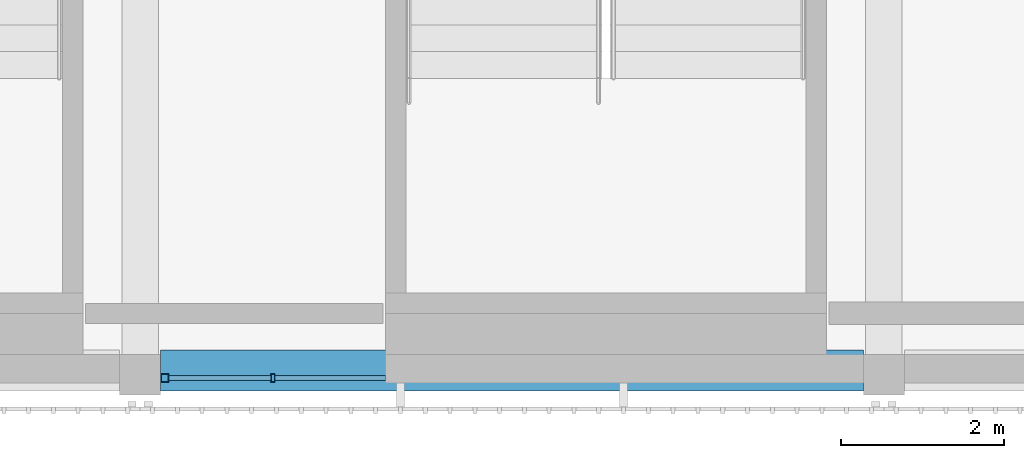
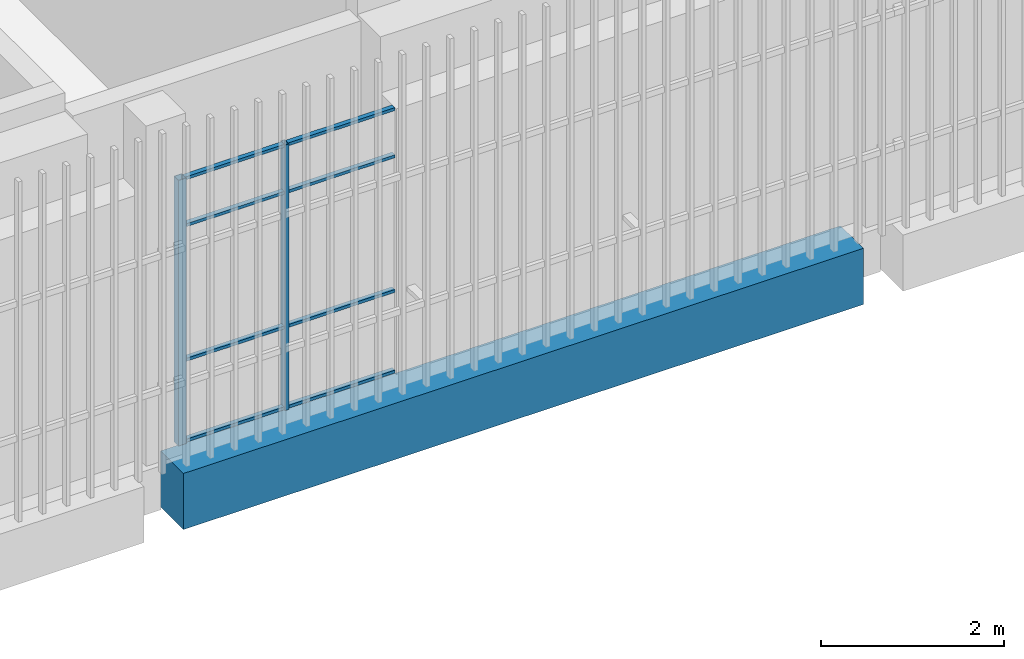
# One storey, part 54 of 139: 10 members, 1 beam, 1 element without a shape of its own.
"""IFC4 building model written with IfcOpenShell, lengths in metres."""

from ifc_helpers import new_model, si_unit, direction, frame, origin, origin_2d, place, context, subcontext, project, spatial, rectangle, hollow_rectangle, extrude, material, layer, layer_set, material_profile, profile_set, type_object, element, aggregate, save


model = new_model("IFC4")

# Units and contexts
model_context = context("Model", 3, precision=1e-05, world=origin(), true_north=direction((0.0, 1.0)))
body_context = subcontext(model_context, "Body", "Model", "MODEL_VIEW")
ifc_project = project(units=[si_unit("LENGTHUNIT", "METRE"), si_unit("AREAUNIT", "SQUARE_METRE"), si_unit("VOLUMEUNIT", "CUBIC_METRE"), si_unit("PLANEANGLEUNIT", "RADIAN"), si_unit("MASSUNIT", "GRAM", prefix="KILO")], contexts=[model_context])

# Site, building, storey
site_placement = place(None, origin())
site = spatial("IfcSite", under=ifc_project, at=site_placement, CompositionType="ELEMENT")
building_placement = place(site_placement, origin())
building = spatial("IfcBuilding", under=site, at=building_placement, Name="Shirokan Park Arena", CompositionType="ELEMENT")
storey_placement = place(building_placement, frame((0.0, 0.0, 15.469970703125)))
storey = spatial("IfcBuildingStorey", under=building, at=storey_placement, Name="L03", CompositionType="ELEMENT", Elevation=15.469970703125)

# Curtain wall, members
ifc_material_1 = material(Name="Steel and glass curtain wall", Category="steel")
ifc_layer = layer(ifc_material_1, 0.1201171875)
ifc_layer_set = layer_set([ifc_layer], Name="Steel and glass curtain wall 120 mm")
curtain_wall_type = type_object("IfcCurtainWallType", Name="Curtain wall corner block side bay 120", PredefinedType="NOTDEFINED", material=ifc_layer_set)
curtain_wall_placement = place(storey_placement, origin())
curtain_wall = element("IfcCurtainWall", 1, at=curtain_wall_placement, inside=storey, type_object=curtain_wall_type, Name="Curtain wall south bay 15 L03", PredefinedType="NOTDEFINED")
ifc_material_2 = material(Name="Steel S355", Category="steel")
ifc_material_profile_1 = material_profile(ifc_material_2, hollow_rectangle(XDim=0.10009765625, YDim=0.10009765625, WallThickness=0.006103515625, at=origin_2d()), Name="RHS 100x100x6")
ifc_profile_set_1 = profile_set([ifc_material_profile_1], Name="Steel S355")
member_type_1 = type_object("IfcMemberType", Name="Mullion RHS 100x100x6", PredefinedType="MULLION", material=ifc_profile_set_1)
member_1_placement = place(storey_placement, frame((127.699951171875, -0.090087890625, 0.0), z_axis=(0.0, 0.0, 1.0), x_axis=(0.0, 1.0, 0.0)))
member_1 = element("IfcMember", 2, at=member_1_placement, type_object=member_type_1, Name="CW3 mullion 1", PredefinedType="MULLION", context=body_context, shape_type="SweptSolid", body=[
    extrude(hollow_rectangle(XDim=0.10009765625, YDim=0.10009765625, WallThickness=0.006103515625, at=origin_2d()), origin(), (0.0, 0.0, 1.0), 3.550048828125),
])
ifc_material_profile_2 = material_profile(ifc_material_2, hollow_rectangle(XDim=0.10009765625, YDim=0.050048828125, WallThickness=0.0048828125, at=origin_2d()), Name="RHS 100x50x5")
ifc_profile_set_2 = profile_set([ifc_material_profile_2], Name="Steel S355")
member_type_2 = type_object("IfcMemberType", Name="Mullion RHS 100x50x5", PredefinedType="MULLION", material=ifc_profile_set_2)
member_2_placement = place(storey_placement, frame((129.02490234375, -0.090087890625, 0.0), z_axis=(0.0, 0.0, 1.0), x_axis=(0.0, 1.0, 0.0)))
member_2 = element("IfcMember", 3, at=member_2_placement, type_object=member_type_2, Name="CW3 mullion 2", PredefinedType="MULLION", context=body_context, shape_type="SweptSolid", body=[
    extrude(hollow_rectangle(XDim=0.10009765625, YDim=0.050048828125, WallThickness=0.0048828125, at=origin_2d()), origin(), (0.0, 0.0, 1.0), 3.550048828125),
])

# Beam
ifc_material_3 = material(Name="Concrete C35", Category="concrete")
ifc_material_profile_3 = material_profile(ifc_material_3, rectangle(XDim=0.5, YDim=0.75, at=origin_2d()), Name="500x750")
ifc_profile_set_3 = profile_set([ifc_material_profile_3], Name="Concrete C35")
beam_type = type_object("IfcBeamType", Name="RC girder 500x750", PredefinedType="BEAM", material=ifc_profile_set_3)
beam_placement = place(storey_placement, frame((127.650146484375, 0.0, -0.675048828125), z_axis=(1.0, 0.0, 0.0), x_axis=(0.0, 1.0, 0.0)))
element("IfcBeam", 4, at=beam_placement, inside=storey, type_object=beam_type, Name="Girder 15A-16A L03", PredefinedType="BEAM", context=body_context, shape_type="SweptSolid", body=[
    extrude(rectangle(XDim=0.5, YDim=0.75, at=origin_2d()), origin(), (0.0, 0.0, 1.0), 8.599853515625),
])

# Member
ifc_material_profile_4 = material_profile(ifc_material_2, hollow_rectangle(XDim=0.06005859375, YDim=0.0400390625, WallThickness=0.00390625, at=origin_2d()), Name="RHS 60x40x4")
ifc_profile_set_4 = profile_set([ifc_material_profile_4], Name="Steel S355")
member_type_3 = type_object("IfcMemberType", Name="Transom RHS 60x40x4", PredefinedType="MULLION", material=ifc_profile_set_4)
member_3_placement = place(storey_placement, frame((127.75, -0.090087890625, 0.02001953125), z_axis=(1.0, 0.0, 0.0), x_axis=(0.0, 1.0, 0.0)))
member_3 = element("IfcMember", 5, at=member_3_placement, type_object=member_type_3, Name="CW3 transom 1.1", PredefinedType="MULLION", context=body_context, shape_type="SweptSolid", body=[
    extrude(hollow_rectangle(XDim=0.06005859375, YDim=0.0400390625, WallThickness=0.00390625, at=origin_2d()), origin(), (0.0, 0.0, 1.0), 1.25),
])

member_4_placement = place(storey_placement, frame((127.75, -0.090087890625, 1.10009765625), z_axis=(1.0, 0.0, 0.0), x_axis=(0.0, 1.0, 0.0)))
member_4 = element("IfcMember", 6, at=member_4_placement, type_object=member_type_3, Name="CW3 transom 1.2", PredefinedType="MULLION", context=body_context, shape_type="SweptSolid", body=[
    extrude(hollow_rectangle(XDim=0.06005859375, YDim=0.0400390625, WallThickness=0.00390625, at=origin_2d()), origin(), (0.0, 0.0, 1.0), 1.25),
])

member_5_placement = place(storey_placement, frame((127.75, -0.090087890625, 2.900146484375), z_axis=(1.0, 0.0, 0.0), x_axis=(0.0, 1.0, 0.0)))
member_5 = element("IfcMember", 7, at=member_5_placement, type_object=member_type_3, Name="CW3 transom 1.3", PredefinedType="MULLION", context=body_context, shape_type="SweptSolid", body=[
    extrude(hollow_rectangle(XDim=0.06005859375, YDim=0.0400390625, WallThickness=0.00390625, at=origin_2d()), origin(), (0.0, 0.0, 1.0), 1.25),
])

member_6_placement = place(storey_placement, frame((127.75, -0.090087890625, 3.530029296875), z_axis=(1.0, 0.0, 0.0), x_axis=(0.0, 1.0, 0.0)))
member_6 = element("IfcMember", 8, at=member_6_placement, type_object=member_type_3, Name="CW3 transom 1.4", PredefinedType="MULLION", context=body_context, shape_type="SweptSolid", body=[
    extrude(hollow_rectangle(XDim=0.06005859375, YDim=0.0400390625, WallThickness=0.00390625, at=origin_2d()), origin(), (0.0, 0.0, 1.0), 1.25),
])

member_7_placement = place(storey_placement, frame((129.050048828125, -0.090087890625, 0.02001953125), z_axis=(1.0, 0.0, 0.0), x_axis=(0.0, 1.0, 0.0)))
member_7 = element("IfcMember", 9, at=member_7_placement, type_object=member_type_3, Name="CW3 transom 2.1", PredefinedType="MULLION", context=body_context, shape_type="SweptSolid", body=[
    extrude(hollow_rectangle(XDim=0.06005859375, YDim=0.0400390625, WallThickness=0.00390625, at=origin_2d()), origin(), (0.0, 0.0, 1.0), 1.349853515625),
])

member_8_placement = place(storey_placement, frame((129.050048828125, -0.090087890625, 1.10009765625), z_axis=(1.0, 0.0, 0.0), x_axis=(0.0, 1.0, 0.0)))
member_8 = element("IfcMember", 10, at=member_8_placement, type_object=member_type_3, Name="CW3 transom 2.2", PredefinedType="MULLION", context=body_context, shape_type="SweptSolid", body=[
    extrude(hollow_rectangle(XDim=0.06005859375, YDim=0.0400390625, WallThickness=0.00390625, at=origin_2d()), origin(), (0.0, 0.0, 1.0), 1.349853515625),
])

member_9_placement = place(storey_placement, frame((129.050048828125, -0.090087890625, 2.900146484375), z_axis=(1.0, 0.0, 0.0), x_axis=(0.0, 1.0, 0.0)))
member_9 = element("IfcMember", 11, at=member_9_placement, type_object=member_type_3, Name="CW3 transom 2.3", PredefinedType="MULLION", context=body_context, shape_type="SweptSolid", body=[
    extrude(hollow_rectangle(XDim=0.06005859375, YDim=0.0400390625, WallThickness=0.00390625, at=origin_2d()), origin(), (0.0, 0.0, 1.0), 1.349853515625),
])

member_10_placement = place(storey_placement, frame((129.050048828125, -0.090087890625, 3.530029296875), z_axis=(1.0, 0.0, 0.0), x_axis=(0.0, 1.0, 0.0)))
member_10 = element("IfcMember", 12, at=member_10_placement, type_object=member_type_3, Name="CW3 transom 2.4", PredefinedType="MULLION", context=body_context, shape_type="SweptSolid", body=[
    extrude(hollow_rectangle(XDim=0.06005859375, YDim=0.0400390625, WallThickness=0.00390625, at=origin_2d()), origin(), (0.0, 0.0, 1.0), 1.349853515625),
])

aggregate(curtain_wall, [member_1, member_2, member_3, member_4, member_5, member_6, member_7, member_8, member_9, member_10])

save(model, "model.ifc")
